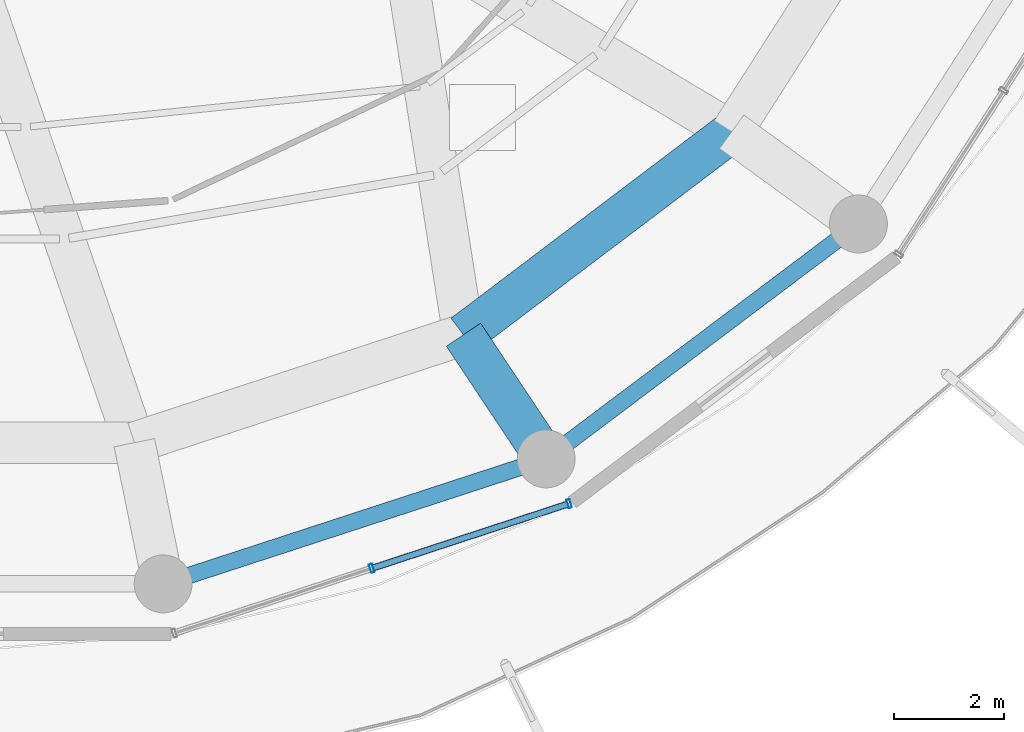
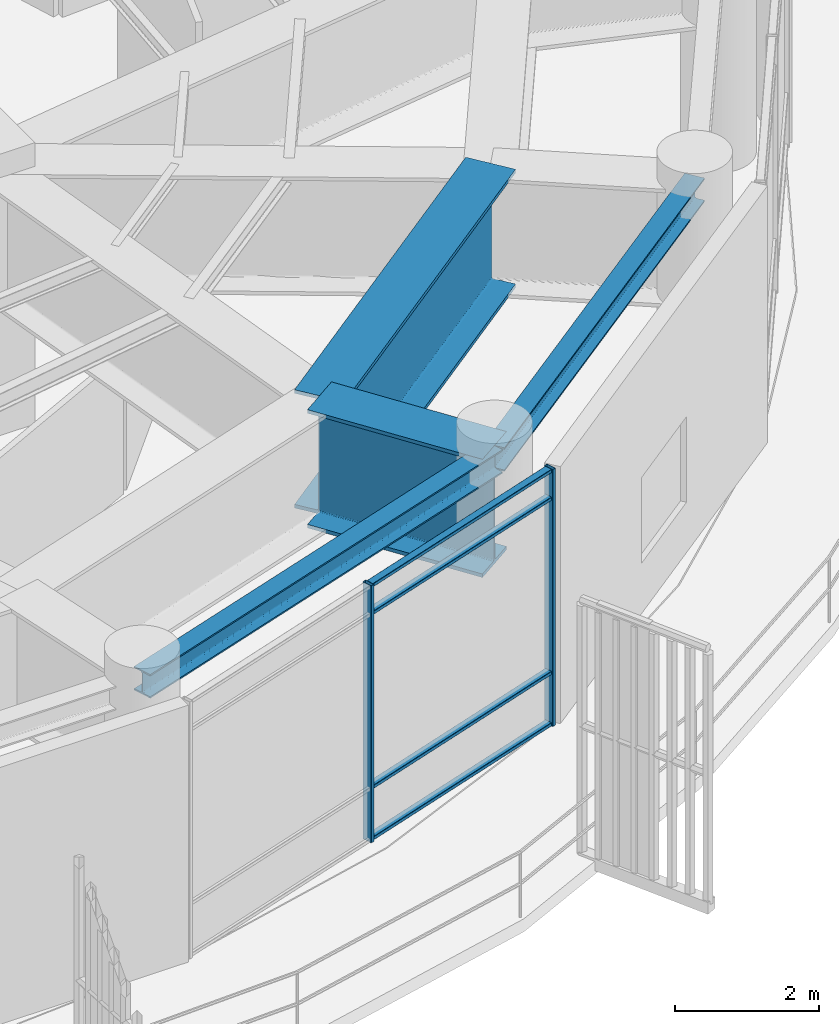
# One storey, part 10 of 29: 6 members, 4 beams, 1 element without a shape of its own.
"""IFC4 building model written with IfcOpenShell, lengths in metres."""

from ifc_helpers import new_model, si_unit, direction, frame, origin, origin_2d, place, context, subcontext, project, spatial, hollow_rectangle, i_section, extrude, material, layer, layer_set, material_profile, profile_set, type_object, element, aggregate, save


model = new_model("IFC4")

# Units and contexts
model_context = context("Model", 3, precision=1e-05, world=origin(), true_north=direction((0.0, 1.0)))
body_context = subcontext(model_context, "Body", "Model", "MODEL_VIEW")
ifc_project = project(units=[si_unit("LENGTHUNIT", "METRE"), si_unit("AREAUNIT", "SQUARE_METRE"), si_unit("VOLUMEUNIT", "CUBIC_METRE"), si_unit("PLANEANGLEUNIT", "RADIAN"), si_unit("MASSUNIT", "GRAM", prefix="KILO")], contexts=[model_context])

# Site, building, storey
site_placement = place(None, origin())
site = spatial("IfcSite", under=ifc_project, at=site_placement, CompositionType="ELEMENT")
building_placement = place(site_placement, origin())
building = spatial("IfcBuilding", under=site, at=building_placement, Name="Kelanora Arch Commons", CompositionType="ELEMENT")
storey_placement = place(building_placement, frame((0.0, 0.0, 238.199951171875)))
storey = spatial("IfcBuildingStorey", under=building, at=storey_placement, Name="L61", CompositionType="ELEMENT", Elevation=238.199951171875)

# Beams
ifc_material_1 = material(Name="Steel S355", Category="steel")
ifc_material_profile_1 = material_profile(ifc_material_1, i_section(OverallWidth=0.300048828125, OverallDepth=0.39990234375, WebThickness=0.013427734375, FlangeThickness=0.02392578125, FilletRadius=0.027099609375, at=origin_2d()), Name="HEB400")
ifc_profile_set_1 = profile_set([ifc_material_profile_1], Name="Steel S355")
beam_type_1 = type_object("IfcBeamType", Name="BM-SPN-Z4", PredefinedType="SPANDREL", material=ifc_profile_set_1)
beam_1_placement = place(storey_placement, frame((77.6953125, 39.2099609375, 4.16015625), z_axis=(0.950656361143, 0.310245842872, 0.0), x_axis=(-0.310245842872, 0.950656361143, 0.0)))
element("IfcBeam", 1, at=beam_1_placement, inside=storey, type_object=beam_type_1, Name="Perimeter Spandrel Beam BS-28 L61", PredefinedType="SPANDREL", context=body_context, shape_type="SweptSolid", body=[
    extrude(i_section(OverallWidth=0.300048828125, OverallDepth=0.39990234375, WebThickness=0.013427734375, FlangeThickness=0.02392578125, FilletRadius=0.027099609375, at=origin_2d()), origin(), (0.0, 0.0, 1.0), 7.304931640625),
])
beam_2_placement = place(storey_placement, frame((84.639892578125, 41.476318359375, 4.16015625), z_axis=(0.799114211715, 0.60117923836, 0.0), x_axis=(-0.60117923836, 0.799114211715, 0.0)))
element("IfcBeam", 2, at=beam_2_placement, inside=storey, type_object=beam_type_1, Name="Perimeter Spandrel Beam BS-30 L61", PredefinedType="SPANDREL", context=body_context, shape_type="SweptSolid", body=[
    extrude(i_section(OverallWidth=0.300048828125, OverallDepth=0.39990234375, WebThickness=0.013427734375, FlangeThickness=0.02392578125, FilletRadius=0.027099609375, at=origin_2d()), origin(), (0.0, 0.0, 1.0), 7.0849609375),
])
ifc_material_profile_2 = material_profile(ifc_material_1, i_section(OverallWidth=0.75, OverallDepth=2.0, WebThickness=0.034912109375, FlangeThickness=0.06005859375, FilletRadius=0.028076171875, at=origin_2d()), Name="PG2000x750")
ifc_profile_set_2 = profile_set([ifc_material_profile_2], Name="Steel S355")
beam_type_2 = type_object("IfcBeamType", Name="BM-XFER-SET", PredefinedType="USERDEFINED", material=ifc_profile_set_2)
beam_3_placement = place(storey_placement, frame((83.139892578125, 43.727783203125, 3.360107421875), z_axis=(0.554450268741, -0.832216858453, 0.0), x_axis=(0.832216858453, 0.554450268741, 0.0)))
element("IfcBeam", 3, at=beam_3_placement, inside=storey, type_object=beam_type_2, Name="Radial Floor Girder BR-30 L61", ObjectType="TRANSFER_GIRDER", PredefinedType="USERDEFINED", context=body_context, shape_type="SweptSolid", body=[
    extrude(i_section(OverallWidth=0.75, OverallDepth=2.0, WebThickness=0.034912109375, FlangeThickness=0.06005859375, FilletRadius=0.028076171875, at=origin_2d()), origin(), (0.0, 0.0, 1.0), 2.705322265625),
])
beam_4_placement = place(storey_placement, frame((83.139892578125, 43.727783203125, 3.360107421875), z_axis=(0.797509460967, 0.603306439273, 0.0), x_axis=(-0.603306439273, 0.797509460967, 0.0)))
element("IfcBeam", 4, at=beam_4_placement, inside=storey, type_object=beam_type_2, Name="Setback Inner Transfer Ring BSI-30 L61", ObjectType="TRANSFER_GIRDER", PredefinedType="USERDEFINED", context=body_context, shape_type="SweptSolid", body=[
    extrude(i_section(OverallWidth=0.75, OverallDepth=2.0, WebThickness=0.034912109375, FlangeThickness=0.06005859375, FilletRadius=0.028076171875, at=origin_2d()), origin(), (0.0, 0.0, 1.0), 6.098388671875),
])

# Curtain wall, members
ifc_material_2 = material(Name="Terracotta ceramic-fritted low-E glass and aluminium", Category="masonry")
ifc_layer = layer(ifc_material_2, 0.175048828125)
ifc_layer_set = layer_set([ifc_layer], Name="Terracotta ceramic-fritted low-E glass and aluminium")
curtain_wall_type = type_object("IfcCurtainWallType", Name="CW-SYS-02", PredefinedType="NOTDEFINED", material=ifc_layer_set)
curtain_wall_placement = place(storey_placement, origin())
curtain_wall = element("IfcCurtainWall", 5, at=curtain_wall_placement, inside=storey, type_object=curtain_wall_type, Name="Unitised Curtain Wall L61-B14", PredefinedType="NOTDEFINED")
ifc_material_3 = material(Name="Powder-coated aluminium terracotta", Category="masonry")
ifc_material_profile_3 = material_profile(ifc_material_3, hollow_rectangle(XDim=0.159912109375, YDim=0.06005859375, WallThickness=0.0048828125, InnerFilletRadius=0.0048828125, OuterFilletRadius=0.010009765625, at=origin_2d()), Name="CWM160x60")
ifc_profile_set_3 = profile_set([ifc_material_profile_3], Name="Powder-coated aluminium terracotta")
member_type_1 = type_object("IfcMemberType", Name="CWM-STD", PredefinedType="MULLION", material=ifc_profile_set_3)
member_1_placement = place(storey_placement, frame((81.4775390625, 39.49169921875, 0.0), z_axis=(0.0, 0.0, 1.0), x_axis=(-0.311582439059, 0.950219124029, 0.0)))
member_1 = element("IfcMember", 6, at=member_1_placement, type_object=member_type_1, Name="CW-02 mullion 2", PredefinedType="MULLION", context=body_context, shape_type="SweptSolid", body=[
    extrude(hollow_rectangle(XDim=0.159912109375, YDim=0.06005859375, WallThickness=0.0048828125, InnerFilletRadius=0.0048828125, OuterFilletRadius=0.010009765625, at=origin_2d()), origin(), (0.0, 0.0, 1.0), 4.344970703125),
])
member_2_placement = place(storey_placement, frame((85.05712890625, 40.66552734375, 0.0), z_axis=(0.0, 0.0, 1.0), x_axis=(-0.311582439059, 0.950219124029, 0.0)))
member_2 = element("IfcMember", 7, at=member_2_placement, type_object=member_type_1, Name="CW-02 mullion 3", PredefinedType="MULLION", context=body_context, shape_type="SweptSolid", body=[
    extrude(hollow_rectangle(XDim=0.159912109375, YDim=0.06005859375, WallThickness=0.0048828125, InnerFilletRadius=0.0048828125, OuterFilletRadius=0.010009765625, at=origin_2d()), origin(), (0.0, 0.0, 1.0), 4.344970703125),
])
ifc_material_profile_4 = material_profile(ifc_material_3, hollow_rectangle(XDim=0.1201171875, YDim=0.06005859375, WallThickness=0.0048828125, InnerFilletRadius=0.0048828125, OuterFilletRadius=0.010009765625, at=origin_2d()), Name="CWT120x60")
ifc_profile_set_4 = profile_set([ifc_material_profile_4], Name="Powder-coated aluminium terracotta")
member_type_2 = type_object("IfcMemberType", Name="CWT-STD", PredefinedType="USERDEFINED", material=ifc_profile_set_4)
member_3_placement = place(storey_placement, frame((81.506103515625, 39.5009765625, 0.030029296875), z_axis=(0.950226025222, 0.311561392011, 0.0), x_axis=(-0.311561392011, 0.950226025222, 0.0)))
member_3 = element("IfcMember", 8, at=member_3_placement, type_object=member_type_2, Name="CW-02 transom 2.1", ObjectType="TRANSOM", PredefinedType="USERDEFINED", context=body_context, shape_type="SweptSolid", body=[
    extrude(hollow_rectangle(XDim=0.1201171875, YDim=0.06005859375, WallThickness=0.0048828125, InnerFilletRadius=0.0048828125, OuterFilletRadius=0.010009765625, at=origin_2d()), origin(), (0.0, 0.0, 1.0), 3.707275390625),
])
member_4_placement = place(storey_placement, frame((81.506103515625, 39.5009765625, 0.900146484375), z_axis=(0.950226025222, 0.311561392011, 0.0), x_axis=(-0.311561392011, 0.950226025222, 0.0)))
member_4 = element("IfcMember", 9, at=member_4_placement, type_object=member_type_2, Name="CW-02 transom 2.2", ObjectType="TRANSOM", PredefinedType="USERDEFINED", context=body_context, shape_type="SweptSolid", body=[
    extrude(hollow_rectangle(XDim=0.1201171875, YDim=0.06005859375, WallThickness=0.0048828125, InnerFilletRadius=0.0048828125, OuterFilletRadius=0.010009765625, at=origin_2d()), origin(), (0.0, 0.0, 1.0), 3.707275390625),
])
member_5_placement = place(storey_placement, frame((81.506103515625, 39.5009765625, 3.844970703125), z_axis=(0.950226025222, 0.311561392011, 0.0), x_axis=(-0.311561392011, 0.950226025222, 0.0)))
member_5 = element("IfcMember", 10, at=member_5_placement, type_object=member_type_2, Name="CW-02 transom 2.3", ObjectType="TRANSOM", PredefinedType="USERDEFINED", context=body_context, shape_type="SweptSolid", body=[
    extrude(hollow_rectangle(XDim=0.1201171875, YDim=0.06005859375, WallThickness=0.0048828125, InnerFilletRadius=0.0048828125, OuterFilletRadius=0.010009765625, at=origin_2d()), origin(), (0.0, 0.0, 1.0), 3.707275390625),
])
member_6_placement = place(storey_placement, frame((81.506103515625, 39.5009765625, 4.31494140625), z_axis=(0.950226025222, 0.311561392011, 0.0), x_axis=(-0.311561392011, 0.950226025222, 0.0)))
member_6 = element("IfcMember", 11, at=member_6_placement, type_object=member_type_2, Name="CW-02 transom 2.4", ObjectType="TRANSOM", PredefinedType="USERDEFINED", context=body_context, shape_type="SweptSolid", body=[
    extrude(hollow_rectangle(XDim=0.1201171875, YDim=0.06005859375, WallThickness=0.0048828125, InnerFilletRadius=0.0048828125, OuterFilletRadius=0.010009765625, at=origin_2d()), origin(), (0.0, 0.0, 1.0), 3.707275390625),
])
aggregate(curtain_wall, [member_1, member_2, member_3, member_4, member_5, member_6])

save(model, "model.ifc")
